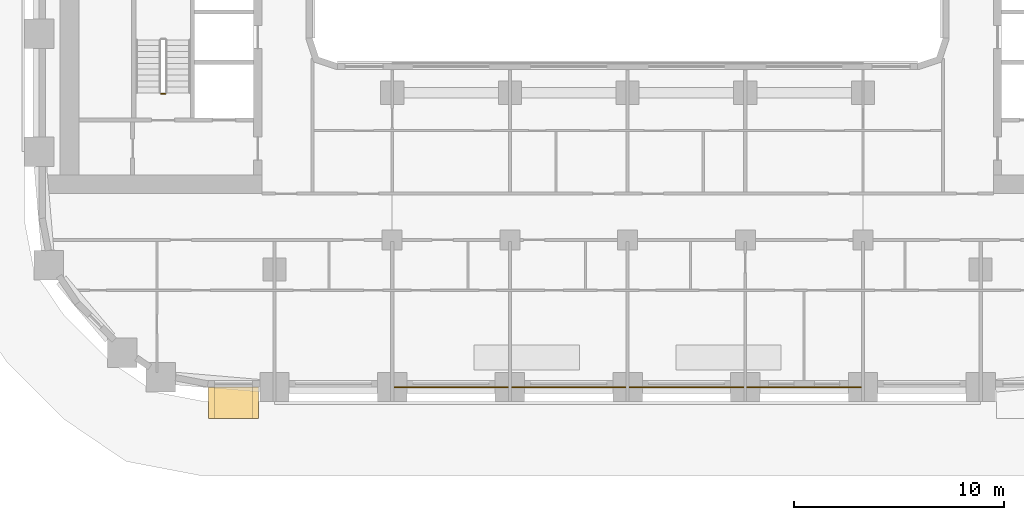
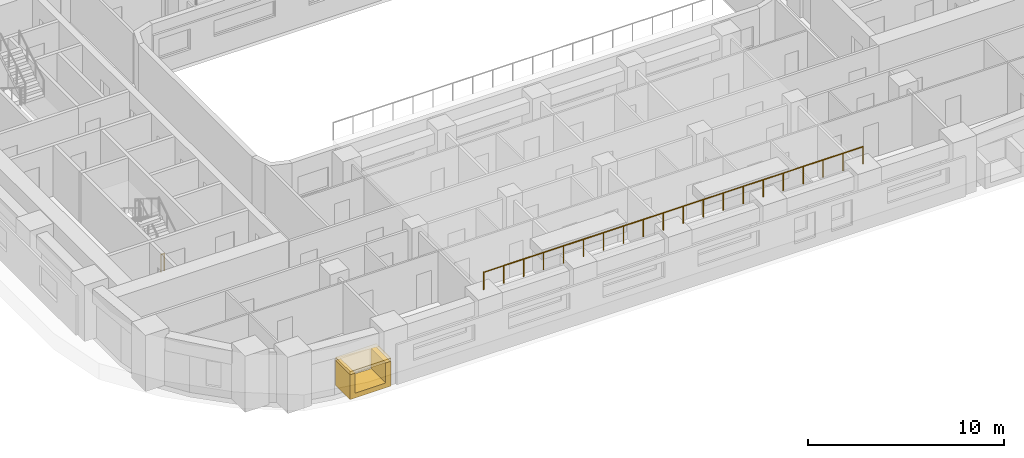
# One storey, part 12 of 18: 2 coverings, 2 railings.
"""IFC4 building model written with IfcOpenShell, lengths in metres."""

from ifc_helpers import new_model, si_unit, direction, frame, origin, origin_2d, place, context, subcontext, project, spatial, polyline, rectangle, circle, outline, extrude, material, layer, layer_set, type_object, element, save


model = new_model("IFC4")

# Units and contexts
model_context = context("Model", 3, precision=1e-05, world=origin(), true_north=direction((0.0, 1.0)))
body_context = subcontext(model_context, "Body", "Model", "MODEL_VIEW")
ifc_project = project(units=[si_unit("LENGTHUNIT", "METRE"), si_unit("AREAUNIT", "SQUARE_METRE"), si_unit("VOLUMEUNIT", "CUBIC_METRE"), si_unit("PLANEANGLEUNIT", "RADIAN"), si_unit("MASSUNIT", "GRAM", prefix="KILO")], contexts=[model_context])

# Site, building, storey
site_placement = place(None, origin())
site = spatial("IfcSite", under=ifc_project, at=site_placement, CompositionType="ELEMENT")
building_placement = place(site_placement, origin())
building = spatial("IfcBuilding", under=site, at=building_placement, Name="Kiln Ring Residences", CompositionType="ELEMENT")
storey_placement = place(building_placement, frame((0.0, 0.0, 69.0)))
storey = spatial("IfcBuildingStorey", under=building, at=storey_placement, Name="L17", CompositionType="ELEMENT", Elevation=69.0)

# Railing
ifc_material_1 = material(Name="Stainless steel", Category="steel")
railing_type_1 = type_object("IfcRailingType", Name="CORE-STAIR-GUARD", PredefinedType="GUARDRAIL", material=ifc_material_1)
railing_1_placement = place(storey_placement, frame((-22.0, -8.449951171875, 0.0)))
element("IfcRailing", 1, at=railing_1_placement, inside=storey, type_object=railing_type_1, Name="L17 W-STS stair guard 4", PredefinedType="GUARDRAIL", context=body_context, shape_type="SweptSolid", body=[
    extrude(circle(Radius=0.02392578125, at=origin_2d()), frame((0.0, 0.0, 1.076171875), z_axis=(-1.0, 0.0, 0.0), x_axis=(0.0, -1.0, 0.0)), (0.0, 0.0, 1.0), 0.199951171875),
    extrude(circle(Radius=0.02099609375, at=origin_2d()), origin(), (0.0, 0.0, 1.0), 1.052001953125),
    extrude(circle(Radius=0.02099609375, at=origin_2d()), frame((-0.199951171875, 0.0, 0.0)), (0.0, 0.0, 1.0), 1.052001953125),
])

# Coverings
ifc_material_2 = material(Name="Brick masonry, dark clay brick", Category="masonry")
ifc_layer_1 = layer(ifc_material_2, 0.300048828125)
ifc_layer_set_1 = layer_set([ifc_layer_1], Name="FRAME CHEEKS AND SILL 1500")
covering_type_1 = type_object("IfcCoveringType", Name="FRAME CHEEKS AND SILL 1500", PredefinedType="CLADDING", material=ifc_layer_set_1)
covering_1_placement = place(storey_placement, frame((-19.949951171875, -23.14990234375, 0.60009765625), z_axis=(0.0, 0.0, 1.0), x_axis=(1.0, 0.0, 0.0)))
element("IfcCovering", 2, at=covering_1_placement, inside=storey, type_object=covering_type_1, Name="FRAME L17", PredefinedType="CLADDING", context=body_context, shape_type="SweptSolid", body=[
    extrude(outline(polyline([(0.0, 0.0), (2.39990234375, 0.0), (2.39990234375, 1.5498046875), (2.10107421875, 1.5498046875), (2.10009765625, 0.2998046875), (0.300048828125, 0.2998046875), (0.299072265625, 1.5498046875), (0.0, 1.5498046875), (0.0, 0.0)])), frame((0.0, 0.75, 0.0), z_axis=(0.0, -1.0, 0.0), x_axis=(1.0, 0.0, 0.0)), (0.0, 0.0, 1.0), 1.5),
])
ifc_material_3 = material(Name="Brick masonry, dark clay brick", Category="masonry")
ifc_layer_2 = layer(ifc_material_3, 0.199951171875)
ifc_layer_set_2 = layer_set([ifc_layer_2], Name="FRAME HEAD 1500")
covering_type_2 = type_object("IfcCoveringType", Name="FRAME HEAD 1500", PredefinedType="CLADDING", material=ifc_layer_set_2)
covering_2_placement = place(storey_placement, frame((-18.75, -23.14990234375, 2.14990234375), z_axis=(0.0, 0.0, 1.0), x_axis=(1.0, 0.0, 0.0)))
element("IfcCovering", 3, at=covering_2_placement, inside=storey, type_object=covering_type_2, Name="FRAME HEAD L17", PredefinedType="CLADDING", context=body_context, shape_type="SweptSolid", body=[
    extrude(rectangle(XDim=2.39990234375, YDim=1.5, at=origin_2d()), origin(), (0.0, 0.0, 1.0), 0.199951171875),
])

# Railing
ifc_material_4 = material(Name="Black powder-coated steel", Category="steel")
railing_type_2 = type_object("IfcRailingType", Name="ROOF GUARD 1100", PredefinedType="GUARDRAIL", material=ifc_material_4)
railing_2_placement = place(storey_placement, frame((-11.199951171875, -22.39990234375, 3.5)))
element("IfcRailing", 4, at=railing_2_placement, inside=storey, type_object=railing_type_2, Name="GUARD L17 sky portal terrace", PredefinedType="GUARDRAIL", context=body_context, shape_type="SweptSolid", body=[
    extrude(circle(Radius=0.02392578125, at=origin_2d()), frame((0.0, 0.0, 1.076171875), z_axis=(1.0, 0.0, 0.0), x_axis=(0.0, 1.0, 0.0)), (0.0, 0.0, 1.0), 22.39990234375),
    extrude(circle(Radius=0.02099609375, at=origin_2d()), origin(), (0.0, 0.0, 1.0), 1.052001953125),
    extrude(circle(Radius=0.02099609375, at=origin_2d()), frame((1.178955078125, 0.0, 0.0)), (0.0, 0.0, 1.0), 1.052001953125),
    extrude(circle(Radius=0.02099609375, at=origin_2d()), frame((2.35791015625, 0.0, 0.0)), (0.0, 0.0, 1.0), 1.052001953125),
    extrude(circle(Radius=0.02099609375, at=origin_2d()), frame((3.536865234375, 0.0, 0.0)), (0.0, 0.0, 1.0), 1.052001953125),
    extrude(circle(Radius=0.02099609375, at=origin_2d()), frame((4.7158203125, 0.0, 0.0)), (0.0, 0.0, 1.0), 1.052001953125),
    extrude(circle(Radius=0.02099609375, at=origin_2d()), frame((5.894775390625, 0.0, 0.0)), (0.0, 0.0, 1.0), 1.052001953125),
    extrude(circle(Radius=0.02099609375, at=origin_2d()), frame((7.07373046875, 0.0, 0.0)), (0.0, 0.0, 1.0), 1.052001953125),
    extrude(circle(Radius=0.02099609375, at=origin_2d()), frame((8.252685546875, 0.0, 0.0)), (0.0, 0.0, 1.0), 1.052001953125),
    extrude(circle(Radius=0.02099609375, at=origin_2d()), frame((9.431640625, 0.0, 0.0)), (0.0, 0.0, 1.0), 1.052001953125),
    extrude(circle(Radius=0.02099609375, at=origin_2d()), frame((10.610595703125, 0.0, 0.0)), (0.0, 0.0, 1.0), 1.052001953125),
    extrude(circle(Radius=0.02099609375, at=origin_2d()), frame((11.789306640625, 0.0, 0.0)), (0.0, 0.0, 1.0), 1.052001953125),
    extrude(circle(Radius=0.02099609375, at=origin_2d()), frame((12.96826171875, 0.0, 0.0)), (0.0, 0.0, 1.0), 1.052001953125),
    extrude(circle(Radius=0.02099609375, at=origin_2d()), frame((14.147216796875, 0.0, 0.0)), (0.0, 0.0, 1.0), 1.052001953125),
    extrude(circle(Radius=0.02099609375, at=origin_2d()), frame((15.326171875, 0.0, 0.0)), (0.0, 0.0, 1.0), 1.052001953125),
    extrude(circle(Radius=0.02099609375, at=origin_2d()), frame((16.505126953125, 0.0, 0.0)), (0.0, 0.0, 1.0), 1.052001953125),
    extrude(circle(Radius=0.02099609375, at=origin_2d()), frame((17.68408203125, 0.0, 0.0)), (0.0, 0.0, 1.0), 1.052001953125),
    extrude(circle(Radius=0.02099609375, at=origin_2d()), frame((18.863037109375, 0.0, 0.0)), (0.0, 0.0, 1.0), 1.052001953125),
    extrude(circle(Radius=0.02099609375, at=origin_2d()), frame((20.0419921875, 0.0, 0.0)), (0.0, 0.0, 1.0), 1.052001953125),
    extrude(circle(Radius=0.02099609375, at=origin_2d()), frame((21.220947265625, 0.0, 0.0)), (0.0, 0.0, 1.0), 1.052001953125),
    extrude(circle(Radius=0.02099609375, at=origin_2d()), frame((22.39990234375, 0.0, 0.0)), (0.0, 0.0, 1.0), 1.052001953125),
])

save(model, "model.ifc")
